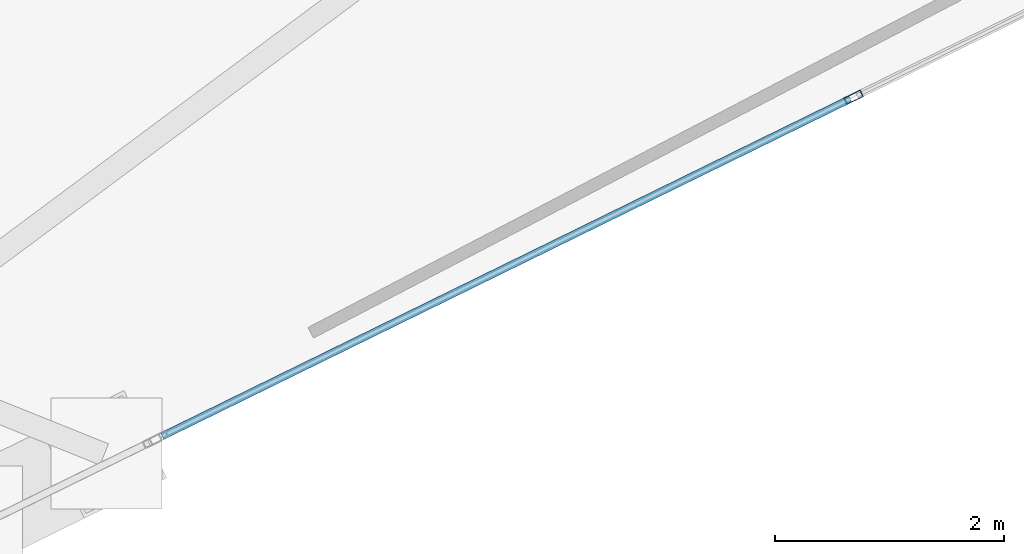
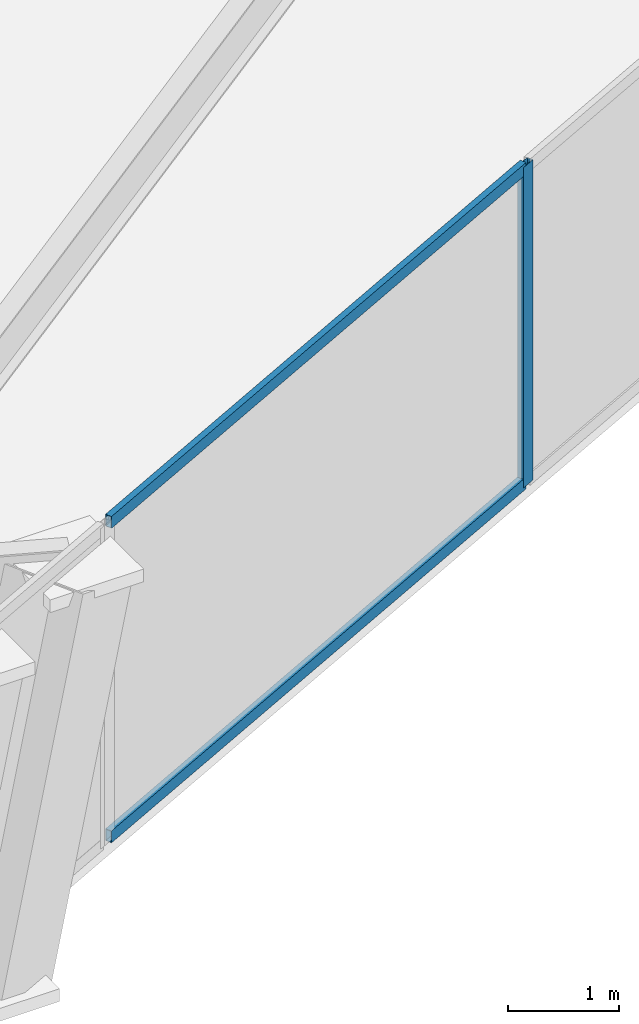
# One storey, part 7 of 23: 3 members, 1 element without a shape of its own.
"""IFC4 building model written with IfcOpenShell, lengths in metres."""

import ifcopenshell
import ifcopenshell.guid

model = None  # the IFC model being written
_history = None  # IfcOwnerHistory: only IFC2X3 demands one
_inside = {}  # id of a spatial element -> (the spatial element, [elements in it])
_under = {}  # id of a project, library or spatial element -> (it, [spatial elements below it])
_declared = {}  # id of a project -> (the project, [libraries it declares])
_typed = {}  # id of a type object -> (the type object, [elements of that type])
_made_of = {}  # id of a material, layer set ... -> (it, [elements and type objects made of it])


def new_model(schema):
    """Start an empty IFC model of exactly this schema.

    Asked for "IFC4X3", IfcOpenShell would pick the latest addendum, in which some entities
    have other attributes; the version numbers below select the first issue.
    IFC2X3 requires an IfcOwnerHistory on every rooted entity: one is made here for all.
    """
    global model, _history
    if schema == "IFC4X3":
        model = ifcopenshell.file(schema_version=(4, 3, 0, 0))
    else:
        model = ifcopenshell.file(schema=schema)
    _inside.clear()
    _under.clear()
    _declared.clear()
    _typed.clear()
    _made_of.clear()
    _history = None
    if model.schema == "IFC2X3":
        org = make("IfcOrganization", Name="unknown")
        user = make(
            "IfcPersonAndOrganization",
            ThePerson=make("IfcPerson", FamilyName="unknown"),
            TheOrganization=org,
        )
        app = make(
            "IfcApplication",
            ApplicationDeveloper=org,
            Version="unknown",
            ApplicationFullName="unknown",
            ApplicationIdentifier="unknown",
        )
        _history = make(
            "IfcOwnerHistory",
            OwningUser=user,
            OwningApplication=app,
            ChangeAction="ADDED",
            CreationDate=0,
        )
    return model


def make(cls, **values):
    """One entity of the class cls with the attributes given. An attribute that is None is left unset."""
    return model.create_entity(
        cls, **{name: value for name, value in values.items() if value is not None}
    )


def rooted(cls, **values):
    """An entity with a GlobalId (a new one), such as an element, a storey or a relation."""
    return make(cls, GlobalId=ifcopenshell.guid.new(), OwnerHistory=_history, **values)


def si_unit(unit_type, name, prefix=None):
    """IfcSIUnit, for example si_unit("LENGTHUNIT", "METRE", prefix="MILLI")."""
    return make("IfcSIUnit", UnitType=unit_type, Prefix=prefix, Name=name)


def assignment(units):
    """IfcUnitAssignment: the units of a project."""
    return None if units is None else make("IfcUnitAssignment", Units=units)


def point(xyz):
    """IfcCartesianPoint."""
    return None if xyz is None else make("IfcCartesianPoint", Coordinates=xyz)


def direction(xyz):
    """IfcDirection."""
    return None if xyz is None else make("IfcDirection", DirectionRatios=xyz)


def frame(location, z_axis=None, x_axis=None):
    """IfcAxis2Placement3D, a coordinate frame: its origin and axes. An axis left out is left unset."""
    return make(
        "IfcAxis2Placement3D",
        Location=point(location),
        Axis=direction(z_axis),
        RefDirection=direction(x_axis),
    )


def frame_2d(location, x_axis=None):
    """IfcAxis2Placement2D, a coordinate frame in the plane: its origin and x axis."""
    return make(
        "IfcAxis2Placement2D", Location=point(location), RefDirection=direction(x_axis)
    )


def origin():
    """The frame at (0, 0, 0) with its axes left unset."""
    return frame((0.0, 0.0, 0.0))


def origin_2d():
    """The frame at (0, 0) in the plane with its x axis left unset."""
    return frame_2d((0.0, 0.0))


def place(relative_to, where):
    """IfcLocalPlacement: puts the frame where relative to a parent placement (None: the world)."""
    return make(
        "IfcLocalPlacement", PlacementRelTo=relative_to, RelativePlacement=where
    )


def context(
    kind, dimensions, precision=None, world=None, true_north=None, identifier=None
):
    """IfcGeometricRepresentationContext, for example the 3D "Model" context."""
    return make(
        "IfcGeometricRepresentationContext",
        ContextIdentifier=identifier,
        ContextType=kind,
        CoordinateSpaceDimension=dimensions,
        Precision=precision,
        WorldCoordinateSystem=world,
        TrueNorth=true_north,
    )


def subcontext(parent, identifier, kind, view, scale=None):
    """IfcGeometricRepresentationSubContext, for example "Body" below "Model"."""
    return make(
        "IfcGeometricRepresentationSubContext",
        ContextIdentifier=identifier,
        ContextType=kind,
        ParentContext=parent,
        TargetScale=scale,
        TargetView=view,
    )


def project(units=None, contexts=None):
    """IfcProject with its units and contexts."""
    return rooted(
        "IfcProject",
        Name="project",
        RepresentationContexts=contexts,
        UnitsInContext=assignment(units),
    )


def spatial(cls, under=None, at=None, **own):
    """A site, building, storey or space (cls), placed at a placement, below another one or the project."""
    s = rooted(cls, ObjectPlacement=at, **own)
    if under is not None:
        _under.setdefault(under.id(), (under, []))[1].append(s)
    return s


def profile(cls, at=None, kind="AREA", **sizes):
    """A parametric profile (cls). Its sizes go by their IFC names, for example OverallWidth=200.0."""
    return make(cls, ProfileType=kind, Position=at, **sizes)


def hollow_rectangle(**sizes):
    """IfcRectangleHollowProfileDef."""
    return profile("IfcRectangleHollowProfileDef", **sizes)


def extrude(swept, where, along, depth):
    """IfcExtrudedAreaSolid: the profile swept, set in the frame where, extruded along a direction by depth."""
    return make(
        "IfcExtrudedAreaSolid",
        SweptArea=swept,
        Position=where,
        ExtrudedDirection=direction(along),
        Depth=depth,
    )


def shape(context_of_items, identifier, shape_type, items):
    """IfcShapeRepresentation: the items that make up one representation, for example the "Body"."""
    return make(
        "IfcShapeRepresentation",
        ContextOfItems=context_of_items,
        RepresentationIdentifier=identifier,
        RepresentationType=shape_type,
        Items=items,
    )


def material(Name=None, Category=None):
    """IfcMaterial."""
    return make("IfcMaterial", Name=Name, Category=Category)


def layer(
    of_material, thickness, ventilated=None, Name=None, Category=None, Priority=None
):
    """IfcMaterialLayer: one layer of a wall or slab, of a material (None: an air gap)."""
    return make(
        "IfcMaterialLayer",
        Material=of_material,
        LayerThickness=thickness,
        IsVentilated=ventilated,
        Name=Name,
        Category=Category,
        Priority=Priority,
    )


def layer_set(layers, Name=None):
    """IfcMaterialLayerSet."""
    return make("IfcMaterialLayerSet", MaterialLayers=layers, LayerSetName=Name)


def material_profile(
    of_material, cross_section, Name=None, Category=None, Priority=None
):
    """IfcMaterialProfile: a cross section and its material."""
    return make(
        "IfcMaterialProfile",
        Name=Name,
        Material=of_material,
        Profile=cross_section,
        Priority=Priority,
        Category=Category,
    )


def profile_set(profiles, Name=None, composite=None):
    """IfcMaterialProfileSet."""
    return make(
        "IfcMaterialProfileSet",
        Name=Name,
        MaterialProfiles=profiles,
        CompositeProfile=composite,
    )


def made_of(thing, what):
    """Note that an element or type object is made of a material, layer set ...; save() writes the relation."""
    if what is not None:
        _made_of.setdefault(what.id(), (what, []))[1].append(thing)
    return thing


def type_object(cls, material=None, **own):
    """A type object (cls), such as IfcWallType, which elements share."""
    return made_of(rooted(cls, **own), material)


def element(
    cls,
    number,
    at=None,
    inside=None,
    cuts=None,
    type_object=None,
    material=None,
    context=None,
    identifier="Body",
    shape_type=None,
    held_by="IfcProductDefinitionShape",
    body=None,
    shapes=None,
    **own,
):
    """One element of the class cls, such as IfcWall. Its Tag is "e" and its number.

    at: its placement. inside: the storey or other place that contains it. cuts: it is an
    opening in that element (IfcRelVoidsElement). A single representation is given by context,
    identifier, shape_type and body (its items); several are given by shapes. held_by: the class
    of the entity that holds the representations. save() writes the other relations.
    """
    e = rooted(cls, Tag="e%d" % number, ObjectPlacement=at, **own)
    if body is not None:
        shapes = [shape(context, identifier, shape_type, body)]
    if shapes is not None:
        e.Representation = make(held_by, Representations=shapes)
    if inside is not None:
        _inside.setdefault(inside.id(), (inside, []))[1].append(e)
    if cuts is not None:
        rooted(
            "IfcRelVoidsElement", RelatingBuildingElement=cuts, RelatedOpeningElement=e
        )
    if type_object is not None:
        _typed.setdefault(type_object.id(), (type_object, []))[1].append(e)
    return made_of(e, material)


def aggregate(whole, parts):
    """IfcRelAggregates: a whole, such as a stair, and the parts it consists of."""
    return rooted("IfcRelAggregates", RelatingObject=whole, RelatedObjects=parts)


def save(model, path):
    """Write the relations noted so far, then the file.

    IfcRelAggregates (storeys below a building ...), IfcRelContainedInSpatialStructure (elements
    in a storey), IfcRelDefinesByType, IfcRelAssociatesMaterial and IfcRelDeclares: one each for
    every whole, place, type object, material and project.
    """
    for whole, parts in _under.values():
        aggregate(whole, parts)
    for where, things in _inside.values():
        rooted(
            "IfcRelContainedInSpatialStructure",
            RelatedElements=things,
            RelatingStructure=where,
        )
    for kind, things in _typed.values():
        rooted("IfcRelDefinesByType", RelatedObjects=things, RelatingType=kind)
    for what, things in _made_of.values():
        rooted("IfcRelAssociatesMaterial", RelatedObjects=things, RelatingMaterial=what)
    for by, libraries in _declared.values():
        rooted("IfcRelDeclares", RelatingContext=by, RelatedDefinitions=libraries)
    model.write(path)


model = new_model("IFC4")

# Units and contexts
model_context = context("Model", 3, precision=1e-05, world=origin(), true_north=direction((0.0, 1.0)))
body_context = subcontext(model_context, "Body", "Model", "MODEL_VIEW")
ifc_project = project(units=[si_unit("LENGTHUNIT", "METRE"), si_unit("AREAUNIT", "SQUARE_METRE"), si_unit("VOLUMEUNIT", "CUBIC_METRE"), si_unit("PLANEANGLEUNIT", "RADIAN"), si_unit("MASSUNIT", "GRAM", prefix="KILO")], contexts=[model_context])

# Site, building, storey
site_placement = place(None, origin())
site = spatial("IfcSite", under=ifc_project, at=site_placement, CompositionType="ELEMENT")
building_placement = place(site_placement, origin())
building = spatial("IfcBuilding", under=site, at=building_placement, Name="Qianvela Tower", CompositionType="ELEMENT")
storey_placement = place(building_placement, frame((0.0, 0.0, 162.39990234375)))
storey = spatial("IfcBuildingStorey", under=building, at=storey_placement, Name="L41", CompositionType="ELEMENT", Elevation=162.39990234375)

# Curtain wall, members
ifc_material_1 = material(Name="Anodised Architectural Aluminium and Low-E Glass", Category="aluminium")
ifc_layer = layer(ifc_material_1, 0.169921875)
ifc_layer_set = layer_set([ifc_layer], Name="Anodised Architectural Aluminium and Low-E Glass")
curtain_wall_type = type_object("IfcCurtainWallType", Name="CW-COLIV-Z34", PredefinedType="USERDEFINED", material=ifc_layer_set)
curtain_wall_placement = place(storey_placement, origin())
curtain_wall = element("IfcCurtainWall", 1, at=curtain_wall_placement, inside=storey, type_object=curtain_wall_type, Name="L41 CW-COLIV-Z34 Curtain Wall 06C", ObjectType="CURTAIN_WALL_SYSTEM", PredefinedType="USERDEFINED")
ifc_material_2 = material(Name="Anodised Architectural Aluminium 6063-T6", Category="aluminium")
ifc_material_profile_1 = material_profile(ifc_material_2, hollow_rectangle(XDim=0.06494140625, YDim=0.159912109375, WallThickness=0.0048828125, at=origin_2d()), Name="ALU-MULL-65x160")
ifc_profile_set_1 = profile_set([ifc_material_profile_1], Name="Anodised Architectural Aluminium 6063-T6")
member_type_1 = type_object("IfcMemberType", Name="CW-COLIV-Z34-MULL", PredefinedType="MULLION", material=ifc_profile_set_1)
member_1_placement = place(storey_placement, frame((52.19775390625, 19.543212890625, 0.0), z_axis=(0.0, 0.0, 1.0), x_axis=(-0.440146392296, 0.897926028885, 0.0)))
member_1 = element("IfcMember", 2, at=member_1_placement, type_object=member_type_1, Name="CW-4 mullion 2", PredefinedType="MULLION", context=body_context, shape_type="SweptSolid", body=[
    extrude(hollow_rectangle(XDim=0.06494140625, YDim=0.159912109375, WallThickness=0.0048828125, at=origin_2d()), origin(), (0.0, 0.0, 1.0), 3.52001953125),
])
ifc_material_3 = material(Name="Anodised Architectural Aluminium 6063-T6", Category="aluminium")
ifc_material_profile_2 = material_profile(ifc_material_3, hollow_rectangle(XDim=0.06494140625, YDim=0.1298828125, WallThickness=0.00439453125, at=origin_2d()), Name="ALU-TRAN-65x130")
ifc_profile_set_2 = profile_set([ifc_material_profile_2], Name="Anodised Architectural Aluminium 6063-T6")
member_type_2 = type_object("IfcMemberType", Name="CW-COLIV-Z34-TRAN", PredefinedType="USERDEFINED", material=ifc_profile_set_2)
member_2_placement = place(storey_placement, frame((46.158203125, 16.582763671875, 0.03271484375), z_axis=(0.897937115886, 0.440123773403, 0.0), x_axis=(-0.440123773403, 0.897937115886, 0.0)))
member_2 = element("IfcMember", 3, at=member_2_placement, type_object=member_type_2, Name="CW-4 transom 1.1", ObjectType="TRANSOM", PredefinedType="USERDEFINED", context=body_context, shape_type="SweptSolid", body=[
    extrude(hollow_rectangle(XDim=0.06494140625, YDim=0.1298828125, WallThickness=0.00439453125, at=origin_2d()), origin(), (0.0, 0.0, 1.0), 6.693603515625),
])
member_3_placement = place(storey_placement, frame((46.158203125, 16.582763671875, 3.487548828125), z_axis=(0.897937115886, 0.440123773403, 0.0), x_axis=(-0.440123773403, 0.897937115886, 0.0)))
member_3 = element("IfcMember", 4, at=member_3_placement, type_object=member_type_2, Name="CW-4 transom 1.2", ObjectType="TRANSOM", PredefinedType="USERDEFINED", context=body_context, shape_type="SweptSolid", body=[
    extrude(hollow_rectangle(XDim=0.06494140625, YDim=0.1298828125, WallThickness=0.00439453125, at=origin_2d()), origin(), (0.0, 0.0, 1.0), 6.693603515625),
])
aggregate(curtain_wall, [member_1, member_2, member_3])

save(model, "model.ifc")
